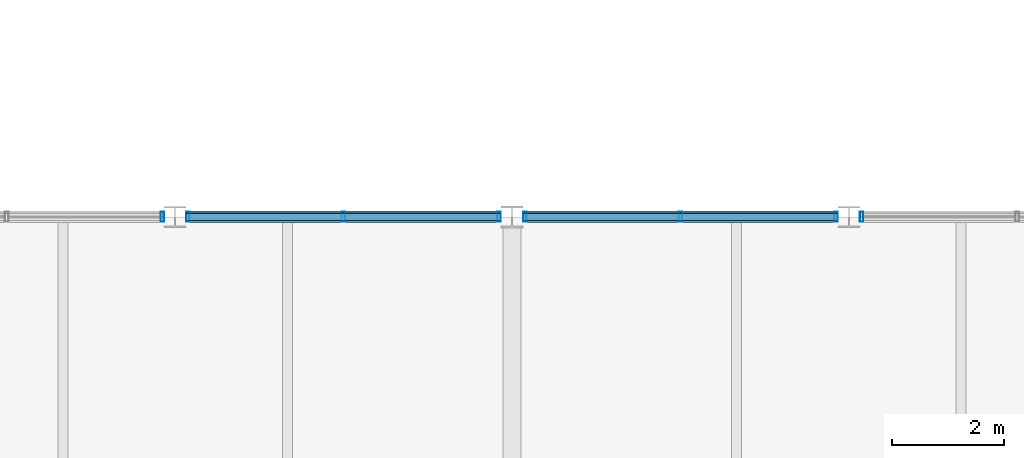
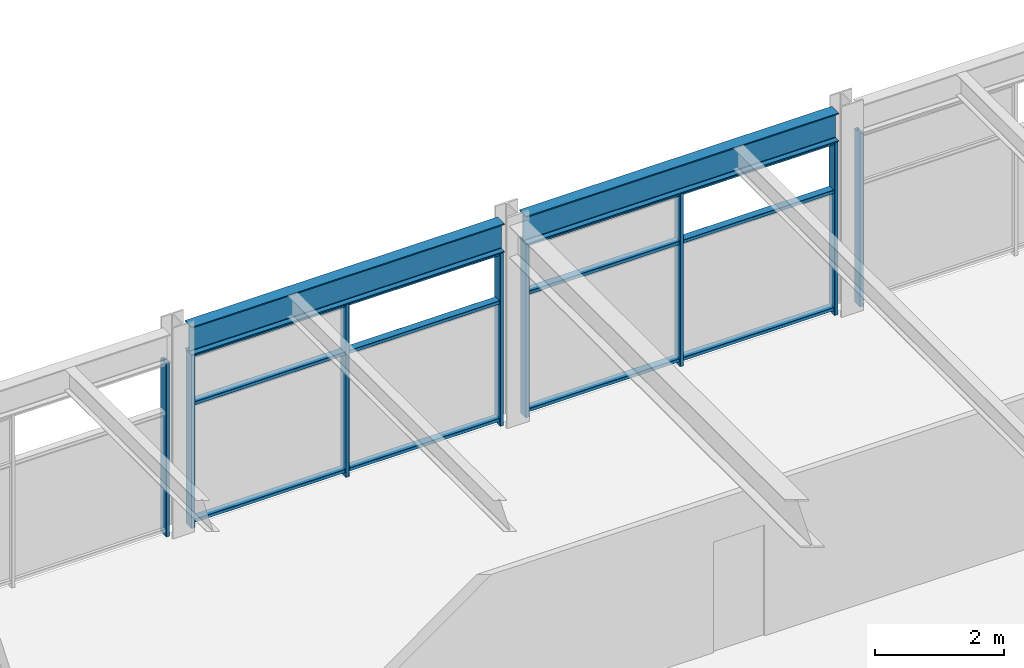
# One storey, part 33 of 49: 14 members, 2 beams, 4 elements without a shape of their own.
"""IFC4 building model written with IfcOpenShell, lengths in metres."""

from ifc_helpers import new_model, si_unit, direction, frame, origin, origin_2d, place, context, subcontext, project, spatial, hollow_rectangle, i_section, extrude, material, material_profile, profile_set, type_object, element, aggregate, save


model = new_model("IFC4")

# Units and contexts
model_context = context("Model", 3, precision=1e-05, world=origin(), true_north=direction((0.0, 1.0)))
body_context = subcontext(model_context, "Body", "Model", "MODEL_VIEW")
ifc_project = project(units=[si_unit("LENGTHUNIT", "METRE"), si_unit("AREAUNIT", "SQUARE_METRE"), si_unit("VOLUMEUNIT", "CUBIC_METRE"), si_unit("PLANEANGLEUNIT", "RADIAN"), si_unit("MASSUNIT", "GRAM", prefix="KILO")], contexts=[model_context])

# Site, building, storey
site_placement = place(None, origin())
site = spatial("IfcSite", under=ifc_project, at=site_placement, CompositionType="ELEMENT")
building_placement = place(site_placement, origin())
building = spatial("IfcBuilding", under=site, at=building_placement, Name="Girod Span Mobility Hub", CompositionType="ELEMENT")
storey_placement = place(building_placement, frame((0.0, 0.0, 37.60009765625)))
storey = spatial("IfcBuildingStorey", under=building, at=storey_placement, Name="L09", CompositionType="ELEMENT", Elevation=37.60009765625)

# Beams
ifc_material_1 = material(Name="Steel A992 Grade 50", Category="steel")
ifc_material_profile_1 = material_profile(ifc_material_1, i_section(OverallWidth=0.2119140625, OverallDepth=0.5439453125, WebThickness=0.01318359375, FlangeThickness=0.021240234375, FilletRadius=0.014892578125, at=origin_2d()), Name="W21X83")
ifc_profile_set_1 = profile_set([ifc_material_profile_1], Name="Steel A992 Grade 50")
beam_type = type_object("IfcBeamType", Name="BM-STL-W21X83", PredefinedType="SPANDREL", material=ifc_profile_set_1)
for number, where, z_axis, x_axis, name in (
    (1, (90.194091796875, 69.0, 3.56298828125), (1.0, 0.0, 0.0), (0.0, 1.0, 0.0), "Spandrel Beam 8-9/F-E L09"),
    (2, (96.196533203125, 69.0, 3.56298828125), (1.0, 0.0, 0.0), (0.0, 1.0, 0.0), "Spandrel Beam 9-10/F-W L09"),
):
    element("IfcBeam", number, at=place(storey_placement, frame(where, z_axis=z_axis, x_axis=x_axis)), inside=storey, type_object=beam_type, Name=name, PredefinedType="SPANDREL", context=body_context, shape_type="SweptSolid", body=[
        extrude(i_section(OverallWidth=0.2119140625, OverallDepth=0.5439453125, WebThickness=0.01318359375, FlangeThickness=0.021240234375, FilletRadius=0.014892578125, at=origin_2d()), origin(), (0.0, 0.0, 1.0), 5.609375),
    ])

# Curtain wall, member
ifc_material_2 = material(Name="Thermally Broken Anodised Aluminium", Category="aluminium")
curtain_wall_type = type_object("IfcCurtainWallType", Name="CW-561X329", PredefinedType="USERDEFINED", material=ifc_material_2)
curtain_wall_1_placement = place(storey_placement, origin())
curtain_wall_1 = element("IfcCurtainWall", 3, at=curtain_wall_1_placement, inside=storey, type_object=curtain_wall_type, Name="Unitised Curtain Wall CW-L09-N08W L09", ObjectType="UNITISED CURTAIN WALL", PredefinedType="USERDEFINED")
ifc_material_3 = material(Name="Thermally Broken Anodised Aluminium", Category="aluminium")
ifc_material_profile_2 = material_profile(ifc_material_3, hollow_rectangle(XDim=0.179931640625, YDim=0.06494140625, WallThickness=0.00390625, InnerFilletRadius=0.00390625, OuterFilletRadius=0.008056640625, at=origin_2d()), Name="CW-ML-65X180")
ifc_profile_set_2 = profile_set([ifc_material_profile_2], Name="Thermally Broken Anodised Aluminium")
member_type_1 = type_object("IfcMemberType", Name="CWM-ML-2", PredefinedType="MULLION", material=ifc_profile_set_2)
member_1_placement = place(storey_placement, frame((89.77294921875, 69.0, 0.0), z_axis=(0.0, 0.0, 1.0), x_axis=(0.0, 1.0, 0.0)))
member_1 = element("IfcMember", 4, at=member_1_placement, type_object=member_type_1, Name="Curtain Wall Mullion CW-L09-N08W-M2", PredefinedType="MULLION", context=body_context, shape_type="SweptSolid", body=[
    extrude(hollow_rectangle(XDim=0.179931640625, YDim=0.06494140625, WallThickness=0.00390625, InnerFilletRadius=0.00390625, OuterFilletRadius=0.008056640625, at=origin_2d()), origin(), (0.0, 0.0, 1.0), 3.291015625),
])
aggregate(curtain_wall_1, [member_1])

# Curtain wall, members
curtain_wall_2_placement = place(storey_placement, origin())
curtain_wall_2 = element("IfcCurtainWall", 5, at=curtain_wall_2_placement, inside=storey, type_object=curtain_wall_type, Name="Unitised Curtain Wall CW-L09-N08E L09", ObjectType="UNITISED CURTAIN WALL", PredefinedType="USERDEFINED")
member_2_placement = place(storey_placement, frame((90.22705078125, 69.0, 0.0), z_axis=(0.0, 0.0, 1.0), x_axis=(0.0, 1.0, 0.0)))
member_2 = element("IfcMember", 6, at=member_2_placement, type_object=member_type_1, Name="Curtain Wall Mullion CW-L09-N08E-M0", PredefinedType="MULLION", context=body_context, shape_type="SweptSolid", body=[
    extrude(hollow_rectangle(XDim=0.179931640625, YDim=0.06494140625, WallThickness=0.00390625, InnerFilletRadius=0.00390625, OuterFilletRadius=0.008056640625, at=origin_2d()), origin(), (0.0, 0.0, 1.0), 3.291015625),
])
member_3_placement = place(storey_placement, frame((92.998779296875, 69.0, 0.0), z_axis=(0.0, 0.0, 1.0), x_axis=(0.0, 1.0, 0.0)))
member_3 = element("IfcMember", 7, at=member_3_placement, type_object=member_type_1, Name="Curtain Wall Mullion CW-L09-N08E-M1", PredefinedType="MULLION", context=body_context, shape_type="SweptSolid", body=[
    extrude(hollow_rectangle(XDim=0.179931640625, YDim=0.06494140625, WallThickness=0.00390625, InnerFilletRadius=0.00390625, OuterFilletRadius=0.008056640625, at=origin_2d()), origin(), (0.0, 0.0, 1.0), 3.291015625),
])
member_4_placement = place(storey_placement, frame((95.7705078125, 69.0, 0.0), z_axis=(0.0, 0.0, 1.0), x_axis=(0.0, 1.0, 0.0)))
member_4 = element("IfcMember", 8, at=member_4_placement, type_object=member_type_1, Name="Curtain Wall Mullion CW-L09-N08E-M2", PredefinedType="MULLION", context=body_context, shape_type="SweptSolid", body=[
    extrude(hollow_rectangle(XDim=0.179931640625, YDim=0.06494140625, WallThickness=0.00390625, InnerFilletRadius=0.00390625, OuterFilletRadius=0.008056640625, at=origin_2d()), origin(), (0.0, 0.0, 1.0), 3.291015625),
])

curtain_wall_3_placement = place(storey_placement, origin())
curtain_wall_3 = element("IfcCurtainWall", 9, at=curtain_wall_3_placement, inside=storey, type_object=curtain_wall_type, Name="Unitised Curtain Wall CW-L09-N09W L09", ObjectType="UNITISED CURTAIN WALL", PredefinedType="USERDEFINED")
member_5_placement = place(storey_placement, frame((96.2294921875, 69.0, 0.0), z_axis=(0.0, 0.0, 1.0), x_axis=(0.0, 1.0, 0.0)))
member_5 = element("IfcMember", 10, at=member_5_placement, type_object=member_type_1, Name="Curtain Wall Mullion CW-L09-N09W-M0", PredefinedType="MULLION", context=body_context, shape_type="SweptSolid", body=[
    extrude(hollow_rectangle(XDim=0.179931640625, YDim=0.06494140625, WallThickness=0.00390625, InnerFilletRadius=0.00390625, OuterFilletRadius=0.008056640625, at=origin_2d()), origin(), (0.0, 0.0, 1.0), 3.291015625),
])
member_6_placement = place(storey_placement, frame((99.001220703125, 69.0, 0.0), z_axis=(0.0, 0.0, 1.0), x_axis=(0.0, 1.0, 0.0)))
member_6 = element("IfcMember", 11, at=member_6_placement, type_object=member_type_1, Name="Curtain Wall Mullion CW-L09-N09W-M1", PredefinedType="MULLION", context=body_context, shape_type="SweptSolid", body=[
    extrude(hollow_rectangle(XDim=0.179931640625, YDim=0.06494140625, WallThickness=0.00390625, InnerFilletRadius=0.00390625, OuterFilletRadius=0.008056640625, at=origin_2d()), origin(), (0.0, 0.0, 1.0), 3.291015625),
])
member_7_placement = place(storey_placement, frame((101.77294921875, 69.0, 0.0), z_axis=(0.0, 0.0, 1.0), x_axis=(0.0, 1.0, 0.0)))
member_7 = element("IfcMember", 12, at=member_7_placement, type_object=member_type_1, Name="Curtain Wall Mullion CW-L09-N09W-M2", PredefinedType="MULLION", context=body_context, shape_type="SweptSolid", body=[
    extrude(hollow_rectangle(XDim=0.179931640625, YDim=0.06494140625, WallThickness=0.00390625, InnerFilletRadius=0.00390625, OuterFilletRadius=0.008056640625, at=origin_2d()), origin(), (0.0, 0.0, 1.0), 3.291015625),
])

# Curtain wall, member
curtain_wall_4_placement = place(storey_placement, origin())
curtain_wall_4 = element("IfcCurtainWall", 13, at=curtain_wall_4_placement, inside=storey, type_object=curtain_wall_type, Name="Unitised Curtain Wall CW-L09-N09E L09", ObjectType="UNITISED CURTAIN WALL", PredefinedType="USERDEFINED")
member_8_placement = place(storey_placement, frame((102.22705078125, 69.0, 0.0), z_axis=(0.0, 0.0, 1.0), x_axis=(0.0, 1.0, 0.0)))
member_8 = element("IfcMember", 14, at=member_8_placement, type_object=member_type_1, Name="Curtain Wall Mullion CW-L09-N09E-M0", PredefinedType="MULLION", context=body_context, shape_type="SweptSolid", body=[
    extrude(hollow_rectangle(XDim=0.179931640625, YDim=0.06494140625, WallThickness=0.00390625, InnerFilletRadius=0.00390625, OuterFilletRadius=0.008056640625, at=origin_2d()), origin(), (0.0, 0.0, 1.0), 3.291015625),
])
aggregate(curtain_wall_4, [member_8])

# Member
ifc_material_4 = material(Name="Thermally Broken Anodised Aluminium", Category="aluminium")
ifc_material_profile_3 = material_profile(ifc_material_4, hollow_rectangle(XDim=0.135009765625, YDim=0.06494140625, WallThickness=0.00390625, InnerFilletRadius=0.00390625, OuterFilletRadius=0.008056640625, at=origin_2d()), Name="CW-TR-65X135")
ifc_profile_set_3 = profile_set([ifc_material_profile_3], Name="Thermally Broken Anodised Aluminium")
member_type_2 = type_object("IfcMemberType", Name="CWM-TR-2", PredefinedType="USERDEFINED", material=ifc_profile_set_3)
member_9_placement = place(storey_placement, frame((90.195068359375, 69.0, 0.107421875), z_axis=(1.0, 0.0, 0.0), x_axis=(0.0, 1.0, 0.0)))
member_9 = element("IfcMember", 15, at=member_9_placement, type_object=member_type_2, Name="Curtain Wall Transom CW-L09-N08E-T1", ObjectType="TRANSOM", PredefinedType="USERDEFINED", context=body_context, shape_type="SweptSolid", body=[
    extrude(hollow_rectangle(XDim=0.135009765625, YDim=0.06494140625, WallThickness=0.00390625, InnerFilletRadius=0.00390625, OuterFilletRadius=0.008056640625, at=origin_2d()), origin(), (0.0, 0.0, 1.0), 5.607421875),
])

member_10_placement = place(storey_placement, frame((90.195068359375, 69.0, 2.3369140625), z_axis=(1.0, 0.0, 0.0), x_axis=(0.0, 1.0, 0.0)))
member_10 = element("IfcMember", 16, at=member_10_placement, type_object=member_type_2, Name="Curtain Wall Transom CW-L09-N08E-T2", ObjectType="TRANSOM", PredefinedType="USERDEFINED", context=body_context, shape_type="SweptSolid", body=[
    extrude(hollow_rectangle(XDim=0.135009765625, YDim=0.06494140625, WallThickness=0.00390625, InnerFilletRadius=0.00390625, OuterFilletRadius=0.008056640625, at=origin_2d()), origin(), (0.0, 0.0, 1.0), 5.607421875),
])

member_11_placement = place(storey_placement, frame((90.195068359375, 69.0, 3.25830078125), z_axis=(1.0, 0.0, 0.0), x_axis=(0.0, 1.0, 0.0)))
member_11 = element("IfcMember", 17, at=member_11_placement, type_object=member_type_2, Name="Curtain Wall Transom CW-L09-N08E-T3", ObjectType="TRANSOM", PredefinedType="USERDEFINED", context=body_context, shape_type="SweptSolid", body=[
    extrude(hollow_rectangle(XDim=0.135009765625, YDim=0.06494140625, WallThickness=0.00390625, InnerFilletRadius=0.00390625, OuterFilletRadius=0.008056640625, at=origin_2d()), origin(), (0.0, 0.0, 1.0), 5.607421875),
])

aggregate(curtain_wall_2, [member_2, member_3, member_4, member_9, member_10, member_11])

member_12_placement = place(storey_placement, frame((96.197509765625, 69.0, 0.107421875), z_axis=(1.0, 0.0, 0.0), x_axis=(0.0, 1.0, 0.0)))
member_12 = element("IfcMember", 18, at=member_12_placement, type_object=member_type_2, Name="Curtain Wall Transom CW-L09-N09W-T1", ObjectType="TRANSOM", PredefinedType="USERDEFINED", context=body_context, shape_type="SweptSolid", body=[
    extrude(hollow_rectangle(XDim=0.135009765625, YDim=0.06494140625, WallThickness=0.00390625, InnerFilletRadius=0.00390625, OuterFilletRadius=0.008056640625, at=origin_2d()), origin(), (0.0, 0.0, 1.0), 5.607421875),
])

member_13_placement = place(storey_placement, frame((96.197509765625, 69.0, 2.3369140625), z_axis=(1.0, 0.0, 0.0), x_axis=(0.0, 1.0, 0.0)))
member_13 = element("IfcMember", 19, at=member_13_placement, type_object=member_type_2, Name="Curtain Wall Transom CW-L09-N09W-T2", ObjectType="TRANSOM", PredefinedType="USERDEFINED", context=body_context, shape_type="SweptSolid", body=[
    extrude(hollow_rectangle(XDim=0.135009765625, YDim=0.06494140625, WallThickness=0.00390625, InnerFilletRadius=0.00390625, OuterFilletRadius=0.008056640625, at=origin_2d()), origin(), (0.0, 0.0, 1.0), 5.607421875),
])

member_14_placement = place(storey_placement, frame((96.197509765625, 69.0, 3.25830078125), z_axis=(1.0, 0.0, 0.0), x_axis=(0.0, 1.0, 0.0)))
member_14 = element("IfcMember", 20, at=member_14_placement, type_object=member_type_2, Name="Curtain Wall Transom CW-L09-N09W-T3", ObjectType="TRANSOM", PredefinedType="USERDEFINED", context=body_context, shape_type="SweptSolid", body=[
    extrude(hollow_rectangle(XDim=0.135009765625, YDim=0.06494140625, WallThickness=0.00390625, InnerFilletRadius=0.00390625, OuterFilletRadius=0.008056640625, at=origin_2d()), origin(), (0.0, 0.0, 1.0), 5.607421875),
])

aggregate(curtain_wall_3, [member_5, member_6, member_7, member_12, member_13, member_14])

save(model, "model.ifc")
